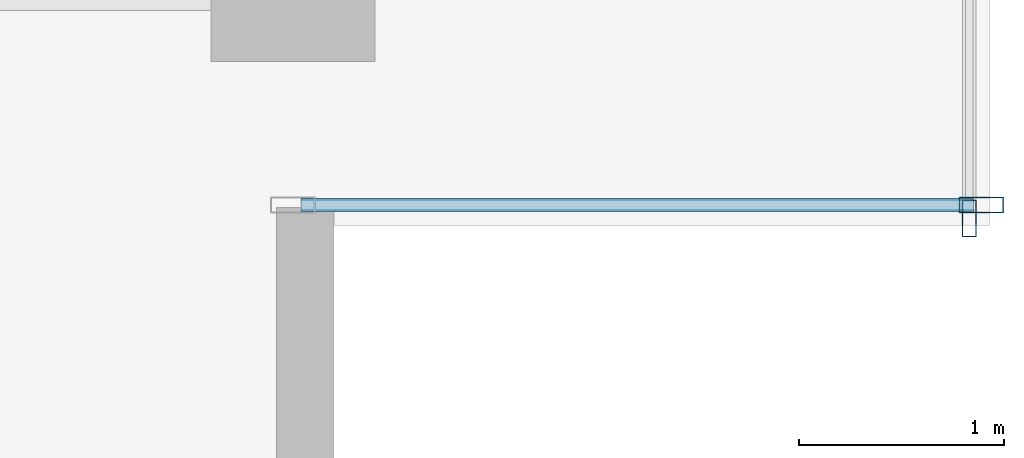
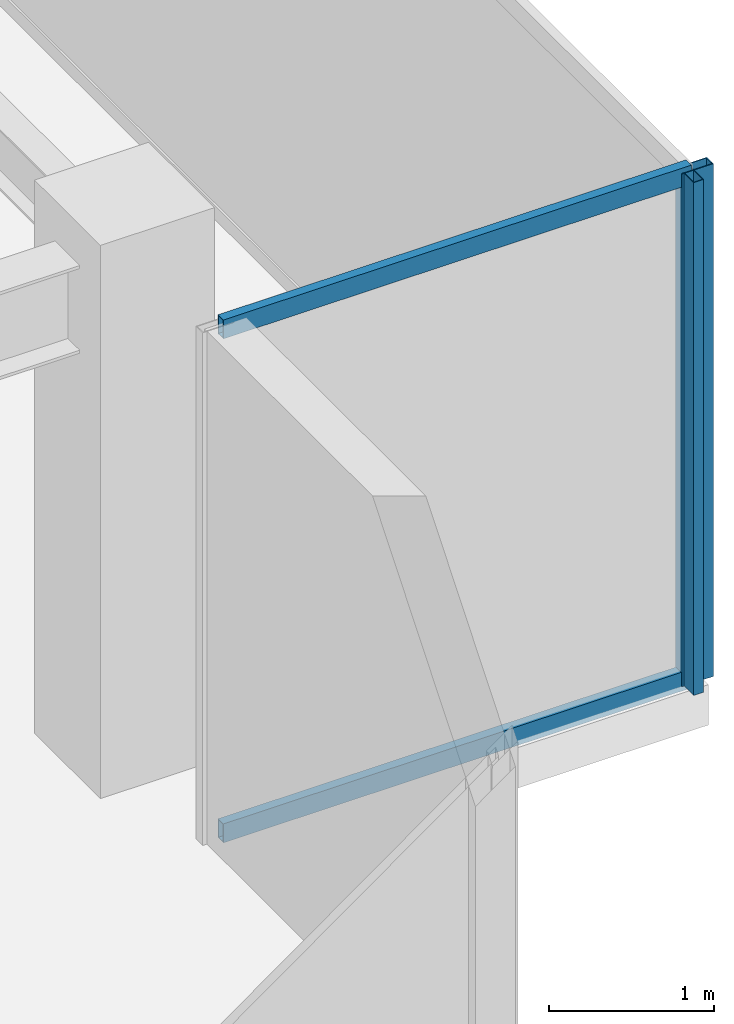
# One storey, part 22 of 33: 4 members, 2 elements without a shape of their own.
"""IFC4 building model written with IfcOpenShell, lengths in metres."""

from ifc_helpers import new_model, si_unit, direction, frame, origin, origin_2d, place, context, subcontext, project, spatial, hollow_rectangle, extrude, source, transform, mapped, material, layer, layer_set, material_profile, profile_set, type_object, type_shapes, element, aggregate, save


model = new_model("IFC4")

# Units and contexts
model_context = context("Model", 3, precision=1e-05, world=origin(), true_north=direction((0.0, 1.0)))
body_context = subcontext(model_context, "Body", "Model", "MODEL_VIEW")
ifc_project = project(units=[si_unit("LENGTHUNIT", "METRE"), si_unit("AREAUNIT", "SQUARE_METRE"), si_unit("VOLUMEUNIT", "CUBIC_METRE"), si_unit("PLANEANGLEUNIT", "RADIAN"), si_unit("MASSUNIT", "GRAM", prefix="KILO")], contexts=[model_context])

# Site, building, storey
site_placement = place(None, origin())
site = spatial("IfcSite", under=ifc_project, at=site_placement, CompositionType="ELEMENT")
building_placement = place(site_placement, origin())
building = spatial("IfcBuilding", under=site, at=building_placement, Name="Haelvirn Gate Laboratories", CompositionType="ELEMENT")
storey_placement = place(building_placement, frame((0.0, 0.0, 230.10009765625)))
storey = spatial("IfcBuildingStorey", under=building, at=storey_placement, Name="L55", CompositionType="ELEMENT", Elevation=230.10009765625)

# Curtain wall, members
ifc_material_1 = material(Name="Anodised bronze unitised aluminium & triple low-E glass", Category="aluminium")
ifc_layer_1 = layer(ifc_material_1, 0.181884765625, Name="CW-SYS-5")
ifc_layer_set_1 = layer_set([ifc_layer_1], Name="Anodised bronze unitised aluminium & triple low-E glass")
curtain_wall_type_1 = type_object("IfcCurtainWallType", Name="CW-SYS-5", PredefinedType="NOTDEFINED", material=ifc_layer_set_1)
curtain_wall_1_placement = place(storey_placement, origin())
curtain_wall_1 = element("IfcCurtainWall", 1, at=curtain_wall_1_placement, inside=storey, type_object=curtain_wall_type_1, Name="L55 Unitised Curtain Wall CW-L55-P0-E06-1", PredefinedType="NOTDEFINED")
ifc_material_2 = material(Name="Extruded aluminium 6063-T6 (anodised bronze)", Category="aluminium")
ifc_material_profile_1 = material_profile(ifc_material_2, hollow_rectangle(XDim=0.06494140625, YDim=0.139892578125, WallThickness=0.00390625, at=origin_2d()), Name="CWT-140x65x4")
ifc_profile_set_1 = profile_set([ifc_material_profile_1], Name="Extruded aluminium 6063-T6 (anodised bronze)")
member_type_1 = type_object("IfcMemberType", Name="CWT-T140", PredefinedType="USERDEFINED", material=ifc_profile_set_1)
shared_shape_1 = source(origin(), body_context, "Body", "SweptSolid", [
    extrude(hollow_rectangle(XDim=0.06494140625, YDim=0.139892578125, WallThickness=0.00390625, at=origin_2d()), origin(), (0.0, 0.0, 1.0), 3.280029296875),
])
type_shapes(member_type_1, [shared_shape_1])
member_1_placement = place(storey_placement, frame((67.43994140625, 5.89990234375, 0.032470703125), z_axis=(1.0, 0.0, 0.0), x_axis=(0.0, 1.0, 0.0)))
member_1 = element("IfcMember", 2, at=member_1_placement, type_object=member_type_1, Name="CW5 transom 1.1", ObjectType="TRANSOM", PredefinedType="USERDEFINED", context=body_context, shape_type="MappedRepresentation", body=[
    mapped(shared_shape_1, transform((0.0, 0.0, 0.0), scale=1.0)),
])
member_2_placement = place(storey_placement, frame((67.43994140625, 5.89990234375, 3.767333984375), z_axis=(1.0, 0.0, 0.0), x_axis=(0.0, 1.0, 0.0)))
member_2 = element("IfcMember", 3, at=member_2_placement, type_object=member_type_1, Name="CW5 transom 1.2", ObjectType="TRANSOM", PredefinedType="USERDEFINED", context=body_context, shape_type="MappedRepresentation", body=[
    mapped(shared_shape_1, transform((0.0, 0.0, 0.0), scale=1.0)),
])

# Curtain wall, member
ifc_layer_2 = layer(ifc_material_1, 0.176025390625, Name="CW-SYS-4")
ifc_layer_set_2 = layer_set([ifc_layer_2], Name="Anodised bronze unitised aluminium & triple low-E glass")
curtain_wall_type_2 = type_object("IfcCurtainWallType", Name="CW-SYS-4", PredefinedType="NOTDEFINED", material=ifc_layer_set_2)
curtain_wall_2_placement = place(storey_placement, origin())
curtain_wall_2 = element("IfcCurtainWall", 4, at=curtain_wall_2_placement, inside=storey, type_object=curtain_wall_type_2, Name="L55 Unitised Curtain Wall CW-L55-P0-E07", PredefinedType="NOTDEFINED")
ifc_material_profile_2 = material_profile(ifc_material_2, hollow_rectangle(XDim=0.070068359375, YDim=0.179931640625, WallThickness=0.0048828125, at=origin_2d()), Name="CWM-180x70x5")
ifc_profile_set_2 = profile_set([ifc_material_profile_2], Name="Extruded aluminium 6063-T6 (anodised bronze)")
member_type_2 = type_object("IfcMemberType", Name="CWM-T180", PredefinedType="MULLION", material=ifc_profile_set_2)
shared_shape_2 = source(origin(), body_context, "Body", "SweptSolid", [
    extrude(hollow_rectangle(XDim=0.070068359375, YDim=0.179931640625, WallThickness=0.0048828125, at=origin_2d()), origin(), (0.0, 0.0, 1.0), 3.7998046875),
])
type_shapes(member_type_2, [shared_shape_2])
member_3_placement = place(storey_placement, frame((70.699951171875, 5.8349609375, 0.0), z_axis=(0.0, 0.0, 1.0), x_axis=(-1.0, 0.0, 0.0)))
member_3 = element("IfcMember", 5, at=member_3_placement, type_object=member_type_2, Name="CW4 mullion 1", PredefinedType="MULLION", context=body_context, shape_type="MappedRepresentation", body=[
    mapped(shared_shape_2, transform((0.0, 0.0, 0.0), scale=1.0)),
])
aggregate(curtain_wall_2, [member_3])

# Member
ifc_material_profile_3 = material_profile(ifc_material_2, hollow_rectangle(XDim=0.080078125, YDim=0.219970703125, WallThickness=0.006103515625, at=origin_2d()), Name="CWM-220x80x6")
ifc_profile_set_3 = profile_set([ifc_material_profile_3], Name="Extruded aluminium 6063-T6 (anodised bronze)")
member_type_3 = type_object("IfcMemberType", Name="CWM-T220", PredefinedType="MULLION", material=ifc_profile_set_3)
shared_shape_3 = source(origin(), body_context, "Body", "SweptSolid", [
    extrude(hollow_rectangle(XDim=0.080078125, YDim=0.219970703125, WallThickness=0.006103515625, at=origin_2d()), origin(), (0.0, 0.0, 1.0), 3.7998046875),
])
type_shapes(member_type_3, [shared_shape_3])
member_4_placement = place(storey_placement, frame((70.760009765625, 5.89990234375, 0.0), z_axis=(0.0, 0.0, 1.0), x_axis=(0.0, 1.0, 0.0)))
member_4 = element("IfcMember", 6, at=member_4_placement, type_object=member_type_3, Name="CW5 mullion 2", PredefinedType="MULLION", context=body_context, shape_type="MappedRepresentation", body=[
    mapped(shared_shape_3, transform((0.0, 0.0, 0.0), scale=1.0)),
])

aggregate(curtain_wall_1, [member_4, member_1, member_2])

save(model, "model.ifc")
